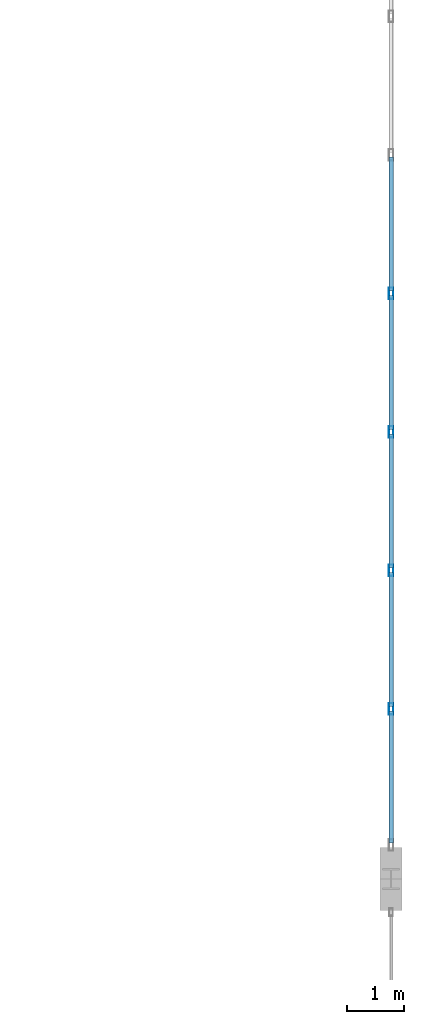
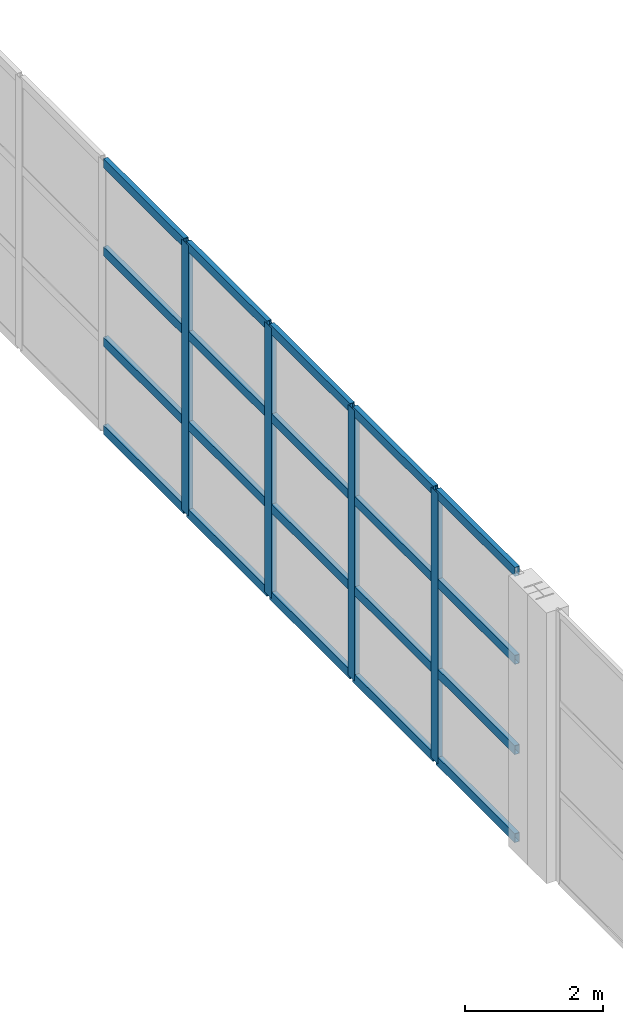
# One storey, part 86 of 147: 24 members, 1 element without a shape of its own.
"""IFC4 building model written with IfcOpenShell, lengths in metres."""

from ifc_helpers import new_model, si_unit, direction, frame, origin, origin_2d, place, context, subcontext, project, spatial, hollow_rectangle, extrude, material, layer, layer_set, material_profile, profile_set, type_object, element, aggregate, save


model = new_model("IFC4")

# Units and contexts
model_context = context("Model", 3, precision=1e-05, world=origin(), true_north=direction((0.0, 1.0)))
body_context = subcontext(model_context, "Body", "Model", "MODEL_VIEW")
ifc_project = project(units=[si_unit("LENGTHUNIT", "METRE"), si_unit("AREAUNIT", "SQUARE_METRE"), si_unit("VOLUMEUNIT", "CUBIC_METRE"), si_unit("PLANEANGLEUNIT", "RADIAN"), si_unit("MASSUNIT", "GRAM", prefix="KILO")], contexts=[model_context])

# Site, building, storey
site_placement = place(None, origin())
site = spatial("IfcSite", under=ifc_project, at=site_placement, CompositionType="ELEMENT")
building_placement = place(site_placement, origin())
building = spatial("IfcBuilding", under=site, at=building_placement, Name="Zilviju Railside Exhibition Hall", CompositionType="ELEMENT")
storey_placement = place(building_placement, frame((0.0, 0.0, 8.39990234375)))
storey = spatial("IfcBuildingStorey", under=building, at=storey_placement, Name="L03", CompositionType="ELEMENT", Elevation=8.39990234375)

# Curtain wall, members
ifc_material_1 = material(Name="Thermally broken aluminium-steel triple-glazed curtain wall", Category="steel")
ifc_layer = layer(ifc_material_1, 0.179931640625)
ifc_layer_set = layer_set([ifc_layer], Name="Thermally broken aluminium-steel triple-glazed curtain wall")
curtain_wall_type = type_object("IfcCurtainWallType", Name="CW-BAY-18", PredefinedType="USERDEFINED", material=ifc_layer_set)
curtain_wall_placement = place(storey_placement, origin())
curtain_wall = element("IfcCurtainWall", 1, at=curtain_wall_placement, inside=storey, type_object=curtain_wall_type, Name="South Hall East Glazed Gable L03 (36..54)", ObjectType="GLAZED CURTAIN WALL", PredefinedType="USERDEFINED")
ifc_material_2 = material(Name="Thermally broken anodized aluminium mullion", Category="aluminium")
ifc_material_profile_1 = material_profile(ifc_material_2, hollow_rectangle(XDim=0.080078125, YDim=0.199951171875, WallThickness=0.0048828125, at=origin_2d()), Name="MULLION 200x80x5")
ifc_profile_set_1 = profile_set([ifc_material_profile_1], Name="Thermally broken anodized aluminium mullion")
member_type_1 = type_object("IfcMemberType", Name="CWM-80x200", PredefinedType="MULLION", material=ifc_profile_set_1)
member_1_placement = place(storey_placement, frame((216.0, 46.20703125, 0.0), z_axis=(0.0, 0.0, 1.0), x_axis=(1.0, 0.0, 0.0)))
member_1 = element("IfcMember", 2, at=member_1_placement, type_object=member_type_1, Name="CW-18 mullion 4", PredefinedType="MULLION", context=body_context, shape_type="SweptSolid", body=[
    extrude(hollow_rectangle(XDim=0.080078125, YDim=0.199951171875, WallThickness=0.0048828125, at=origin_2d()), origin(), (0.0, 0.0, 1.0), 4.800048828125),
])
member_2_placement = place(storey_placement, frame((216.0, 43.79296875, 0.0), z_axis=(0.0, 0.0, 1.0), x_axis=(1.0, 0.0, 0.0)))
member_2 = element("IfcMember", 3, at=member_2_placement, type_object=member_type_1, Name="CW-18 mullion 5", PredefinedType="MULLION", context=body_context, shape_type="SweptSolid", body=[
    extrude(hollow_rectangle(XDim=0.080078125, YDim=0.199951171875, WallThickness=0.0048828125, at=origin_2d()), origin(), (0.0, 0.0, 1.0), 4.800048828125),
])
member_3_placement = place(storey_placement, frame((216.0, 41.378662109375, 0.0), z_axis=(0.0, 0.0, 1.0), x_axis=(1.0, 0.0, 0.0)))
member_3 = element("IfcMember", 4, at=member_3_placement, type_object=member_type_1, Name="CW-18 mullion 6", PredefinedType="MULLION", context=body_context, shape_type="SweptSolid", body=[
    extrude(hollow_rectangle(XDim=0.080078125, YDim=0.199951171875, WallThickness=0.0048828125, at=origin_2d()), origin(), (0.0, 0.0, 1.0), 4.800048828125),
])
member_4_placement = place(storey_placement, frame((216.0, 38.96435546875, 0.0), z_axis=(0.0, 0.0, 1.0), x_axis=(1.0, 0.0, 0.0)))
member_4 = element("IfcMember", 5, at=member_4_placement, type_object=member_type_1, Name="CW-18 mullion 7", PredefinedType="MULLION", context=body_context, shape_type="SweptSolid", body=[
    extrude(hollow_rectangle(XDim=0.080078125, YDim=0.199951171875, WallThickness=0.0048828125, at=origin_2d()), origin(), (0.0, 0.0, 1.0), 4.800048828125),
])
ifc_material_3 = material(Name="Thermally broken anodized aluminium transom", Category="aluminium")
ifc_material_profile_2 = material_profile(ifc_material_3, hollow_rectangle(XDim=0.080078125, YDim=0.159912109375, WallThickness=0.0048828125, at=origin_2d()), Name="TRANSOM 160x80x5")
ifc_profile_set_2 = profile_set([ifc_material_profile_2], Name="Thermally broken anodized aluminium transom")
member_type_2 = type_object("IfcMemberType", Name="CWT-80x160", PredefinedType="USERDEFINED", material=ifc_profile_set_2)
member_5_placement = place(storey_placement, frame((216.0, 48.58154296875, 0.0400390625), z_axis=(0.0, -1.0, 0.0), x_axis=(1.0, 0.0, 0.0)))
member_5 = element("IfcMember", 6, at=member_5_placement, type_object=member_type_2, Name="CW-18 transom 3.1", ObjectType="TRANSOM", PredefinedType="USERDEFINED", context=body_context, shape_type="SweptSolid", body=[
    extrude(hollow_rectangle(XDim=0.080078125, YDim=0.159912109375, WallThickness=0.0048828125, at=origin_2d()), origin(), (0.0, 0.0, 1.0), 2.33447265625),
])
member_6_placement = place(storey_placement, frame((216.0, 48.58154296875, 1.60009765625), z_axis=(0.0, -1.0, 0.0), x_axis=(1.0, 0.0, 0.0)))
member_6 = element("IfcMember", 7, at=member_6_placement, type_object=member_type_2, Name="CW-18 transom 3.2", ObjectType="TRANSOM", PredefinedType="USERDEFINED", context=body_context, shape_type="SweptSolid", body=[
    extrude(hollow_rectangle(XDim=0.080078125, YDim=0.159912109375, WallThickness=0.0048828125, at=origin_2d()), origin(), (0.0, 0.0, 1.0), 2.33447265625),
])
member_7_placement = place(storey_placement, frame((216.0, 48.58154296875, 3.2001953125), z_axis=(0.0, -1.0, 0.0), x_axis=(1.0, 0.0, 0.0)))
member_7 = element("IfcMember", 8, at=member_7_placement, type_object=member_type_2, Name="CW-18 transom 3.3", ObjectType="TRANSOM", PredefinedType="USERDEFINED", context=body_context, shape_type="SweptSolid", body=[
    extrude(hollow_rectangle(XDim=0.080078125, YDim=0.159912109375, WallThickness=0.0048828125, at=origin_2d()), origin(), (0.0, 0.0, 1.0), 2.33447265625),
])
member_8_placement = place(storey_placement, frame((216.0, 48.58154296875, 4.760009765625), z_axis=(0.0, -1.0, 0.0), x_axis=(1.0, 0.0, 0.0)))
member_8 = element("IfcMember", 9, at=member_8_placement, type_object=member_type_2, Name="CW-18 transom 3.4", ObjectType="TRANSOM", PredefinedType="USERDEFINED", context=body_context, shape_type="SweptSolid", body=[
    extrude(hollow_rectangle(XDim=0.080078125, YDim=0.159912109375, WallThickness=0.0048828125, at=origin_2d()), origin(), (0.0, 0.0, 1.0), 2.33447265625),
])
member_9_placement = place(storey_placement, frame((216.0, 46.167236328125, 0.0400390625), z_axis=(0.0, -1.0, 0.0), x_axis=(1.0, 0.0, 0.0)))
member_9 = element("IfcMember", 10, at=member_9_placement, type_object=member_type_2, Name="CW-18 transom 4.1", ObjectType="TRANSOM", PredefinedType="USERDEFINED", context=body_context, shape_type="SweptSolid", body=[
    extrude(hollow_rectangle(XDim=0.080078125, YDim=0.159912109375, WallThickness=0.0048828125, at=origin_2d()), origin(), (0.0, 0.0, 1.0), 2.33447265625),
])
member_10_placement = place(storey_placement, frame((216.0, 46.167236328125, 1.60009765625), z_axis=(0.0, -1.0, 0.0), x_axis=(1.0, 0.0, 0.0)))
member_10 = element("IfcMember", 11, at=member_10_placement, type_object=member_type_2, Name="CW-18 transom 4.2", ObjectType="TRANSOM", PredefinedType="USERDEFINED", context=body_context, shape_type="SweptSolid", body=[
    extrude(hollow_rectangle(XDim=0.080078125, YDim=0.159912109375, WallThickness=0.0048828125, at=origin_2d()), origin(), (0.0, 0.0, 1.0), 2.33447265625),
])
member_11_placement = place(storey_placement, frame((216.0, 46.167236328125, 3.2001953125), z_axis=(0.0, -1.0, 0.0), x_axis=(1.0, 0.0, 0.0)))
member_11 = element("IfcMember", 12, at=member_11_placement, type_object=member_type_2, Name="CW-18 transom 4.3", ObjectType="TRANSOM", PredefinedType="USERDEFINED", context=body_context, shape_type="SweptSolid", body=[
    extrude(hollow_rectangle(XDim=0.080078125, YDim=0.159912109375, WallThickness=0.0048828125, at=origin_2d()), origin(), (0.0, 0.0, 1.0), 2.33447265625),
])
member_12_placement = place(storey_placement, frame((216.0, 46.167236328125, 4.760009765625), z_axis=(0.0, -1.0, 0.0), x_axis=(1.0, 0.0, 0.0)))
member_12 = element("IfcMember", 13, at=member_12_placement, type_object=member_type_2, Name="CW-18 transom 4.4", ObjectType="TRANSOM", PredefinedType="USERDEFINED", context=body_context, shape_type="SweptSolid", body=[
    extrude(hollow_rectangle(XDim=0.080078125, YDim=0.159912109375, WallThickness=0.0048828125, at=origin_2d()), origin(), (0.0, 0.0, 1.0), 2.33447265625),
])
member_13_placement = place(storey_placement, frame((216.0, 43.7529296875, 0.0400390625), z_axis=(0.0, -1.0, 0.0), x_axis=(1.0, 0.0, 0.0)))
member_13 = element("IfcMember", 14, at=member_13_placement, type_object=member_type_2, Name="CW-18 transom 5.1", ObjectType="TRANSOM", PredefinedType="USERDEFINED", context=body_context, shape_type="SweptSolid", body=[
    extrude(hollow_rectangle(XDim=0.080078125, YDim=0.159912109375, WallThickness=0.0048828125, at=origin_2d()), origin(), (0.0, 0.0, 1.0), 2.33447265625),
])
member_14_placement = place(storey_placement, frame((216.0, 43.7529296875, 1.60009765625), z_axis=(0.0, -1.0, 0.0), x_axis=(1.0, 0.0, 0.0)))
member_14 = element("IfcMember", 15, at=member_14_placement, type_object=member_type_2, Name="CW-18 transom 5.2", ObjectType="TRANSOM", PredefinedType="USERDEFINED", context=body_context, shape_type="SweptSolid", body=[
    extrude(hollow_rectangle(XDim=0.080078125, YDim=0.159912109375, WallThickness=0.0048828125, at=origin_2d()), origin(), (0.0, 0.0, 1.0), 2.33447265625),
])
member_15_placement = place(storey_placement, frame((216.0, 43.7529296875, 3.2001953125), z_axis=(0.0, -1.0, 0.0), x_axis=(1.0, 0.0, 0.0)))
member_15 = element("IfcMember", 16, at=member_15_placement, type_object=member_type_2, Name="CW-18 transom 5.3", ObjectType="TRANSOM", PredefinedType="USERDEFINED", context=body_context, shape_type="SweptSolid", body=[
    extrude(hollow_rectangle(XDim=0.080078125, YDim=0.159912109375, WallThickness=0.0048828125, at=origin_2d()), origin(), (0.0, 0.0, 1.0), 2.33447265625),
])
member_16_placement = place(storey_placement, frame((216.0, 43.7529296875, 4.760009765625), z_axis=(0.0, -1.0, 0.0), x_axis=(1.0, 0.0, 0.0)))
member_16 = element("IfcMember", 17, at=member_16_placement, type_object=member_type_2, Name="CW-18 transom 5.4", ObjectType="TRANSOM", PredefinedType="USERDEFINED", context=body_context, shape_type="SweptSolid", body=[
    extrude(hollow_rectangle(XDim=0.080078125, YDim=0.159912109375, WallThickness=0.0048828125, at=origin_2d()), origin(), (0.0, 0.0, 1.0), 2.33447265625),
])
member_17_placement = place(storey_placement, frame((216.0, 41.338623046875, 0.0400390625), z_axis=(0.0, -1.0, 0.0), x_axis=(1.0, 0.0, 0.0)))
member_17 = element("IfcMember", 18, at=member_17_placement, type_object=member_type_2, Name="CW-18 transom 6.1", ObjectType="TRANSOM", PredefinedType="USERDEFINED", context=body_context, shape_type="SweptSolid", body=[
    extrude(hollow_rectangle(XDim=0.080078125, YDim=0.159912109375, WallThickness=0.0048828125, at=origin_2d()), origin(), (0.0, 0.0, 1.0), 2.334228515625),
])
member_18_placement = place(storey_placement, frame((216.0, 41.338623046875, 1.60009765625), z_axis=(0.0, -1.0, 0.0), x_axis=(1.0, 0.0, 0.0)))
member_18 = element("IfcMember", 19, at=member_18_placement, type_object=member_type_2, Name="CW-18 transom 6.2", ObjectType="TRANSOM", PredefinedType="USERDEFINED", context=body_context, shape_type="SweptSolid", body=[
    extrude(hollow_rectangle(XDim=0.080078125, YDim=0.159912109375, WallThickness=0.0048828125, at=origin_2d()), origin(), (0.0, 0.0, 1.0), 2.334228515625),
])
member_19_placement = place(storey_placement, frame((216.0, 41.338623046875, 3.2001953125), z_axis=(0.0, -1.0, 0.0), x_axis=(1.0, 0.0, 0.0)))
member_19 = element("IfcMember", 20, at=member_19_placement, type_object=member_type_2, Name="CW-18 transom 6.3", ObjectType="TRANSOM", PredefinedType="USERDEFINED", context=body_context, shape_type="SweptSolid", body=[
    extrude(hollow_rectangle(XDim=0.080078125, YDim=0.159912109375, WallThickness=0.0048828125, at=origin_2d()), origin(), (0.0, 0.0, 1.0), 2.334228515625),
])
member_20_placement = place(storey_placement, frame((216.0, 41.338623046875, 4.760009765625), z_axis=(0.0, -1.0, 0.0), x_axis=(1.0, 0.0, 0.0)))
member_20 = element("IfcMember", 21, at=member_20_placement, type_object=member_type_2, Name="CW-18 transom 6.4", ObjectType="TRANSOM", PredefinedType="USERDEFINED", context=body_context, shape_type="SweptSolid", body=[
    extrude(hollow_rectangle(XDim=0.080078125, YDim=0.159912109375, WallThickness=0.0048828125, at=origin_2d()), origin(), (0.0, 0.0, 1.0), 2.334228515625),
])
member_21_placement = place(storey_placement, frame((216.0, 38.92431640625, 0.0400390625), z_axis=(0.0, -1.0, 0.0), x_axis=(1.0, 0.0, 0.0)))
member_21 = element("IfcMember", 22, at=member_21_placement, type_object=member_type_2, Name="CW-18 transom 7.1", ObjectType="TRANSOM", PredefinedType="USERDEFINED", context=body_context, shape_type="SweptSolid", body=[
    extrude(hollow_rectangle(XDim=0.080078125, YDim=0.159912109375, WallThickness=0.0048828125, at=origin_2d()), origin(), (0.0, 0.0, 1.0), 2.29443359375),
])
member_22_placement = place(storey_placement, frame((216.0, 38.92431640625, 1.60009765625), z_axis=(0.0, -1.0, 0.0), x_axis=(1.0, 0.0, 0.0)))
member_22 = element("IfcMember", 23, at=member_22_placement, type_object=member_type_2, Name="CW-18 transom 7.2", ObjectType="TRANSOM", PredefinedType="USERDEFINED", context=body_context, shape_type="SweptSolid", body=[
    extrude(hollow_rectangle(XDim=0.080078125, YDim=0.159912109375, WallThickness=0.0048828125, at=origin_2d()), origin(), (0.0, 0.0, 1.0), 2.29443359375),
])
member_23_placement = place(storey_placement, frame((216.0, 38.92431640625, 3.2001953125), z_axis=(0.0, -1.0, 0.0), x_axis=(1.0, 0.0, 0.0)))
member_23 = element("IfcMember", 24, at=member_23_placement, type_object=member_type_2, Name="CW-18 transom 7.3", ObjectType="TRANSOM", PredefinedType="USERDEFINED", context=body_context, shape_type="SweptSolid", body=[
    extrude(hollow_rectangle(XDim=0.080078125, YDim=0.159912109375, WallThickness=0.0048828125, at=origin_2d()), origin(), (0.0, 0.0, 1.0), 2.29443359375),
])
member_24_placement = place(storey_placement, frame((216.0, 38.92431640625, 4.760009765625), z_axis=(0.0, -1.0, 0.0), x_axis=(1.0, 0.0, 0.0)))
member_24 = element("IfcMember", 25, at=member_24_placement, type_object=member_type_2, Name="CW-18 transom 7.4", ObjectType="TRANSOM", PredefinedType="USERDEFINED", context=body_context, shape_type="SweptSolid", body=[
    extrude(hollow_rectangle(XDim=0.080078125, YDim=0.159912109375, WallThickness=0.0048828125, at=origin_2d()), origin(), (0.0, 0.0, 1.0), 2.29443359375),
])
aggregate(curtain_wall, [member_1, member_2, member_3, member_4, member_5, member_6, member_7, member_8, member_9, member_10, member_11, member_12, member_13, member_14, member_15, member_16, member_17, member_18, member_19, member_20, member_21, member_22, member_23, member_24])

save(model, "model.ifc")
